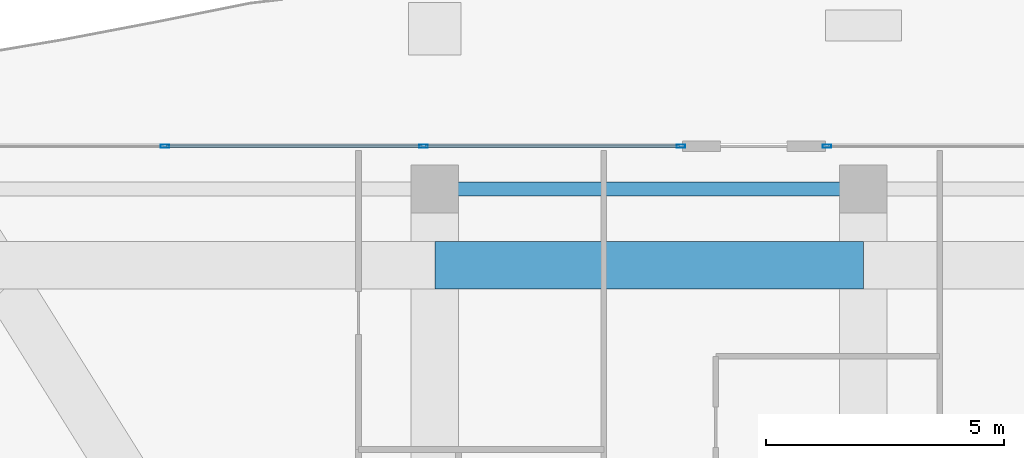
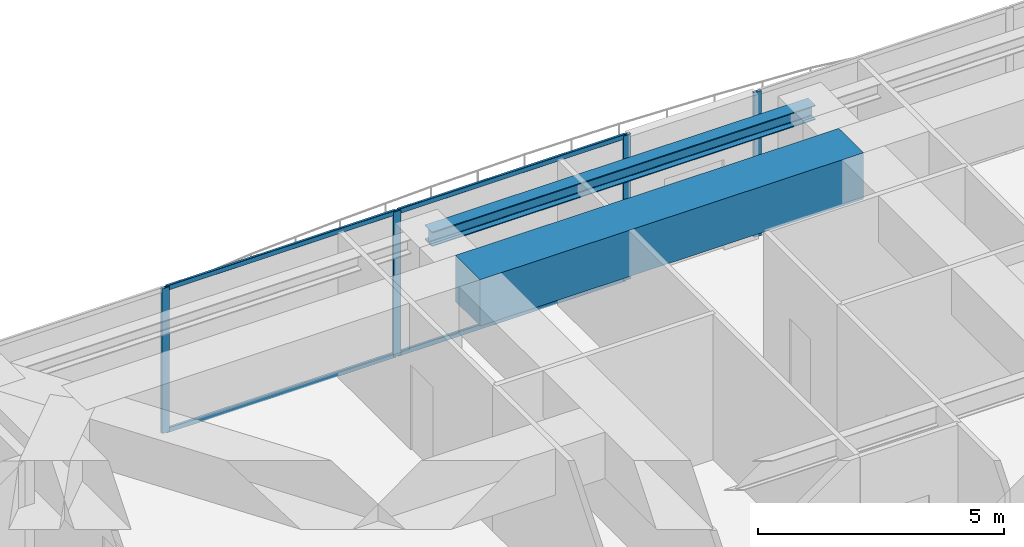
# One storey, part 24 of 40: 8 members, 2 beams, 2 elements without a shape of their own.
"""IFC4 building model written with IfcOpenShell, lengths in metres."""

import ifcopenshell
import ifcopenshell.guid

model = None  # the IFC model being written
_history = None  # IfcOwnerHistory: only IFC2X3 demands one
_inside = {}  # id of a spatial element -> (the spatial element, [elements in it])
_under = {}  # id of a project, library or spatial element -> (it, [spatial elements below it])
_declared = {}  # id of a project -> (the project, [libraries it declares])
_typed = {}  # id of a type object -> (the type object, [elements of that type])
_made_of = {}  # id of a material, layer set ... -> (it, [elements and type objects made of it])


def new_model(schema):
    """Start an empty IFC model of exactly this schema.

    Asked for "IFC4X3", IfcOpenShell would pick the latest addendum, in which some entities
    have other attributes; the version numbers below select the first issue.
    IFC2X3 requires an IfcOwnerHistory on every rooted entity: one is made here for all.
    """
    global model, _history
    if schema == "IFC4X3":
        model = ifcopenshell.file(schema_version=(4, 3, 0, 0))
    else:
        model = ifcopenshell.file(schema=schema)
    _inside.clear()
    _under.clear()
    _declared.clear()
    _typed.clear()
    _made_of.clear()
    _history = None
    if model.schema == "IFC2X3":
        org = make("IfcOrganization", Name="unknown")
        user = make(
            "IfcPersonAndOrganization",
            ThePerson=make("IfcPerson", FamilyName="unknown"),
            TheOrganization=org,
        )
        app = make(
            "IfcApplication",
            ApplicationDeveloper=org,
            Version="unknown",
            ApplicationFullName="unknown",
            ApplicationIdentifier="unknown",
        )
        _history = make(
            "IfcOwnerHistory",
            OwningUser=user,
            OwningApplication=app,
            ChangeAction="ADDED",
            CreationDate=0,
        )
    return model


def make(cls, **values):
    """One entity of the class cls with the attributes given. An attribute that is None is left unset."""
    return model.create_entity(
        cls, **{name: value for name, value in values.items() if value is not None}
    )


def rooted(cls, **values):
    """An entity with a GlobalId (a new one), such as an element, a storey or a relation."""
    return make(cls, GlobalId=ifcopenshell.guid.new(), OwnerHistory=_history, **values)


def si_unit(unit_type, name, prefix=None):
    """IfcSIUnit, for example si_unit("LENGTHUNIT", "METRE", prefix="MILLI")."""
    return make("IfcSIUnit", UnitType=unit_type, Prefix=prefix, Name=name)


def assignment(units):
    """IfcUnitAssignment: the units of a project."""
    return None if units is None else make("IfcUnitAssignment", Units=units)


def point(xyz):
    """IfcCartesianPoint."""
    return None if xyz is None else make("IfcCartesianPoint", Coordinates=xyz)


def direction(xyz):
    """IfcDirection."""
    return None if xyz is None else make("IfcDirection", DirectionRatios=xyz)


def frame(location, z_axis=None, x_axis=None):
    """IfcAxis2Placement3D, a coordinate frame: its origin and axes. An axis left out is left unset."""
    return make(
        "IfcAxis2Placement3D",
        Location=point(location),
        Axis=direction(z_axis),
        RefDirection=direction(x_axis),
    )


def frame_2d(location, x_axis=None):
    """IfcAxis2Placement2D, a coordinate frame in the plane: its origin and x axis."""
    return make(
        "IfcAxis2Placement2D", Location=point(location), RefDirection=direction(x_axis)
    )


def origin():
    """The frame at (0, 0, 0) with its axes left unset."""
    return frame((0.0, 0.0, 0.0))


def origin_2d():
    """The frame at (0, 0) in the plane with its x axis left unset."""
    return frame_2d((0.0, 0.0))


def place(relative_to, where):
    """IfcLocalPlacement: puts the frame where relative to a parent placement (None: the world)."""
    return make(
        "IfcLocalPlacement", PlacementRelTo=relative_to, RelativePlacement=where
    )


def context(
    kind, dimensions, precision=None, world=None, true_north=None, identifier=None
):
    """IfcGeometricRepresentationContext, for example the 3D "Model" context."""
    return make(
        "IfcGeometricRepresentationContext",
        ContextIdentifier=identifier,
        ContextType=kind,
        CoordinateSpaceDimension=dimensions,
        Precision=precision,
        WorldCoordinateSystem=world,
        TrueNorth=true_north,
    )


def subcontext(parent, identifier, kind, view, scale=None):
    """IfcGeometricRepresentationSubContext, for example "Body" below "Model"."""
    return make(
        "IfcGeometricRepresentationSubContext",
        ContextIdentifier=identifier,
        ContextType=kind,
        ParentContext=parent,
        TargetScale=scale,
        TargetView=view,
    )


def project(units=None, contexts=None):
    """IfcProject with its units and contexts."""
    return rooted(
        "IfcProject",
        Name="project",
        RepresentationContexts=contexts,
        UnitsInContext=assignment(units),
    )


def spatial(cls, under=None, at=None, **own):
    """A site, building, storey or space (cls), placed at a placement, below another one or the project."""
    s = rooted(cls, ObjectPlacement=at, **own)
    if under is not None:
        _under.setdefault(under.id(), (under, []))[1].append(s)
    return s


def profile(cls, at=None, kind="AREA", **sizes):
    """A parametric profile (cls). Its sizes go by their IFC names, for example OverallWidth=200.0."""
    return make(cls, ProfileType=kind, Position=at, **sizes)


def rectangle(**sizes):
    """IfcRectangleProfileDef."""
    return profile("IfcRectangleProfileDef", **sizes)


def hollow_rectangle(**sizes):
    """IfcRectangleHollowProfileDef."""
    return profile("IfcRectangleHollowProfileDef", **sizes)


def i_section(**sizes):
    """IfcIShapeProfileDef."""
    return profile("IfcIShapeProfileDef", **sizes)


def extrude(swept, where, along, depth):
    """IfcExtrudedAreaSolid: the profile swept, set in the frame where, extruded along a direction by depth."""
    return make(
        "IfcExtrudedAreaSolid",
        SweptArea=swept,
        Position=where,
        ExtrudedDirection=direction(along),
        Depth=depth,
    )


def shape(context_of_items, identifier, shape_type, items):
    """IfcShapeRepresentation: the items that make up one representation, for example the "Body"."""
    return make(
        "IfcShapeRepresentation",
        ContextOfItems=context_of_items,
        RepresentationIdentifier=identifier,
        RepresentationType=shape_type,
        Items=items,
    )


def source(mapping_origin, context_of_items, identifier, shape_type, items):
    """IfcRepresentationMap: a shape defined once, which mapped items show again and again."""
    return make(
        "IfcRepresentationMap",
        MappingOrigin=mapping_origin,
        MappedRepresentation=shape(context_of_items, identifier, shape_type, items),
    )


def transform(
    local_origin,
    x_axis=None,
    y_axis=None,
    z_axis=None,
    scale=None,
    scale2=None,
    scale3=None,
    uniform=True,
):
    """IfcCartesianTransformationOperator3D, or its non-uniform kind. x_axis, y_axis, z_axis: its Axis1, 2, 3."""
    if uniform:
        return make(
            "IfcCartesianTransformationOperator3D",
            Axis1=direction(x_axis),
            Axis2=direction(y_axis),
            LocalOrigin=point(local_origin),
            Scale=scale,
            Axis3=direction(z_axis),
        )
    return make(
        "IfcCartesianTransformationOperator3DnonUniform",
        Axis1=direction(x_axis),
        Axis2=direction(y_axis),
        LocalOrigin=point(local_origin),
        Scale=scale,
        Axis3=direction(z_axis),
        Scale2=scale2,
        Scale3=scale3,
    )


def mapped(mapping_source, mapping_target):
    """IfcMappedItem: shows the shape of a source again, moved by a transform."""
    return make(
        "IfcMappedItem", MappingSource=mapping_source, MappingTarget=mapping_target
    )


def material(Name=None, Category=None):
    """IfcMaterial."""
    return make("IfcMaterial", Name=Name, Category=Category)


def layer(
    of_material, thickness, ventilated=None, Name=None, Category=None, Priority=None
):
    """IfcMaterialLayer: one layer of a wall or slab, of a material (None: an air gap)."""
    return make(
        "IfcMaterialLayer",
        Material=of_material,
        LayerThickness=thickness,
        IsVentilated=ventilated,
        Name=Name,
        Category=Category,
        Priority=Priority,
    )


def layer_set(layers, Name=None):
    """IfcMaterialLayerSet."""
    return make("IfcMaterialLayerSet", MaterialLayers=layers, LayerSetName=Name)


def material_profile(
    of_material, cross_section, Name=None, Category=None, Priority=None
):
    """IfcMaterialProfile: a cross section and its material."""
    return make(
        "IfcMaterialProfile",
        Name=Name,
        Material=of_material,
        Profile=cross_section,
        Priority=Priority,
        Category=Category,
    )


def profile_set(profiles, Name=None, composite=None):
    """IfcMaterialProfileSet."""
    return make(
        "IfcMaterialProfileSet",
        Name=Name,
        MaterialProfiles=profiles,
        CompositeProfile=composite,
    )


def made_of(thing, what):
    """Note that an element or type object is made of a material, layer set ...; save() writes the relation."""
    if what is not None:
        _made_of.setdefault(what.id(), (what, []))[1].append(thing)
    return thing


def type_object(cls, material=None, **own):
    """A type object (cls), such as IfcWallType, which elements share."""
    return made_of(rooted(cls, **own), material)


def element(
    cls,
    number,
    at=None,
    inside=None,
    cuts=None,
    type_object=None,
    material=None,
    context=None,
    identifier="Body",
    shape_type=None,
    held_by="IfcProductDefinitionShape",
    body=None,
    shapes=None,
    **own,
):
    """One element of the class cls, such as IfcWall. Its Tag is "e" and its number.

    at: its placement. inside: the storey or other place that contains it. cuts: it is an
    opening in that element (IfcRelVoidsElement). A single representation is given by context,
    identifier, shape_type and body (its items); several are given by shapes. held_by: the class
    of the entity that holds the representations. save() writes the other relations.
    """
    e = rooted(cls, Tag="e%d" % number, ObjectPlacement=at, **own)
    if body is not None:
        shapes = [shape(context, identifier, shape_type, body)]
    if shapes is not None:
        e.Representation = make(held_by, Representations=shapes)
    if inside is not None:
        _inside.setdefault(inside.id(), (inside, []))[1].append(e)
    if cuts is not None:
        rooted(
            "IfcRelVoidsElement", RelatingBuildingElement=cuts, RelatedOpeningElement=e
        )
    if type_object is not None:
        _typed.setdefault(type_object.id(), (type_object, []))[1].append(e)
    return made_of(e, material)


def aggregate(whole, parts):
    """IfcRelAggregates: a whole, such as a stair, and the parts it consists of."""
    return rooted("IfcRelAggregates", RelatingObject=whole, RelatedObjects=parts)


def save(model, path):
    """Write the relations noted so far, then the file.

    IfcRelAggregates (storeys below a building ...), IfcRelContainedInSpatialStructure (elements
    in a storey), IfcRelDefinesByType, IfcRelAssociatesMaterial and IfcRelDeclares: one each for
    every whole, place, type object, material and project.
    """
    for whole, parts in _under.values():
        aggregate(whole, parts)
    for where, things in _inside.values():
        rooted(
            "IfcRelContainedInSpatialStructure",
            RelatedElements=things,
            RelatingStructure=where,
        )
    for kind, things in _typed.values():
        rooted("IfcRelDefinesByType", RelatedObjects=things, RelatingType=kind)
    for what, things in _made_of.values():
        rooted("IfcRelAssociatesMaterial", RelatedObjects=things, RelatingMaterial=what)
    for by, libraries in _declared.values():
        rooted("IfcRelDeclares", RelatingContext=by, RelatedDefinitions=libraries)
    model.write(path)


model = new_model("IFC4")

# Units and contexts
model_context = context("Model", 3, precision=1e-05, world=origin(), true_north=direction((0.0, 1.0)))
body_context = subcontext(model_context, "Body", "Model", "MODEL_VIEW")
ifc_project = project(units=[si_unit("LENGTHUNIT", "METRE"), si_unit("AREAUNIT", "SQUARE_METRE"), si_unit("VOLUMEUNIT", "CUBIC_METRE"), si_unit("PLANEANGLEUNIT", "RADIAN"), si_unit("MASSUNIT", "GRAM", prefix="KILO")], contexts=[model_context])

# Site, building, storey
site_placement = place(None, origin())
site = spatial("IfcSite", under=ifc_project, at=site_placement, CompositionType="ELEMENT")
building_placement = place(site_placement, origin())
building = spatial("IfcBuilding", under=site, at=building_placement, Name="Serunith Strait Residences", CompositionType="ELEMENT")
storey_placement = place(building_placement, frame((0.0, 0.0, 333.949951171875)))
storey = spatial("IfcBuildingStorey", under=building, at=storey_placement, Name="L83", CompositionType="ELEMENT", Elevation=333.949951171875)

# Beams
ifc_material_1 = material(Name="Concrete C80/95", Category="concrete")
ifc_material_profile_1 = material_profile(ifc_material_1, rectangle(XDim=1.0, YDim=1.14990234375, at=origin_2d()), Name="RC 1000x1150")
ifc_profile_set_1 = profile_set([ifc_material_profile_1], Name="Concrete C80/95")
beam_type_1 = type_object("IfcBeamType", Name="BM-XFER-1000x1150", PredefinedType="BEAM", material=ifc_profile_set_1)
shared_shape_1 = source(origin(), body_context, "Body", "SweptSolid", [
    extrude(rectangle(XDim=1.0, YDim=1.14990234375, at=origin_2d()), origin(), (0.0, 0.0, 1.0), 9.0),
])
beam_1_placement = place(storey_placement, frame((36.89990234375, 45.5, 3.03515625), z_axis=(-1.0, 0.0, 0.0), x_axis=(0.0, -1.0, 0.0)))
element("IfcBeam", 1, at=beam_1_placement, inside=storey, type_object=beam_type_1, Name="L83 Flare Upper Ring Transfer Girder 10", PredefinedType="BEAM", context=body_context, shape_type="MappedRepresentation", body=[
    mapped(shared_shape_1, transform((0.0, 0.0, 0.0), scale=1.0)),
])
ifc_material_2 = material(Name="Steel S355J2", Category="steel")
ifc_material_profile_2 = material_profile(ifc_material_2, i_section(OverallWidth=0.300048828125, OverallDepth=0.360107421875, WebThickness=0.012451171875, FlangeThickness=0.0224609375, FilletRadius=0.027099609375, at=origin_2d()), Name="HEB 360")
ifc_profile_set_2 = profile_set([ifc_material_profile_2], Name="Steel S355J2")
beam_type_2 = type_object("IfcBeamType", Name="BM-HEB360", PredefinedType="BEAM", material=ifc_profile_set_2)
shared_shape_2 = source(origin(), body_context, "Body", "SweptSolid", [
    extrude(i_section(OverallWidth=0.300048828125, OverallDepth=0.360107421875, WebThickness=0.012451171875, FlangeThickness=0.0224609375, FilletRadius=0.027099609375, at=origin_2d()), origin(), (0.0, 0.0, 1.0), 9.0),
])
beam_2_placement = place(storey_placement, frame((36.89990234375, 47.10009765625, 3.427001953125), z_axis=(-1.0, 0.0, 0.0), x_axis=(0.0, -1.0, 0.0)))
element("IfcBeam", 2, at=beam_2_placement, inside=storey, type_object=beam_type_2, Name="L83 Perimeter Ring Beam 10", PredefinedType="BEAM", context=body_context, shape_type="MappedRepresentation", body=[
    mapped(shared_shape_2, transform((0.0, 0.0, 0.0), scale=1.0)),
])

# Curtain wall, members
ifc_material_3 = material(Name="Brushed Stainless-Silver Aluminium", Category="aluminium")
ifc_layer = layer(ifc_material_3, 0.199951171875, Name="Brushed Stainless-Silver Aluminium")
ifc_layer_set = layer_set([ifc_layer], Name="Brushed Stainless-Silver Aluminium")
curtain_wall_type = type_object("IfcCurtainWallType", Name="CW-SYS5", PredefinedType="NOTDEFINED", material=ifc_layer_set)
curtain_wall_1_placement = place(storey_placement, origin())
curtain_wall_1 = element("IfcCurtainWall", 3, at=curtain_wall_1_placement, inside=storey, type_object=curtain_wall_type, Name="L83 N Unitised Fritted Curtain Wall", PredefinedType="NOTDEFINED")
ifc_material_profile_3 = material_profile(ifc_material_3, hollow_rectangle(XDim=0.06005859375, YDim=0.1201171875, WallThickness=0.00341796875, InnerFilletRadius=0.00537109375, OuterFilletRadius=0.0087890625, at=origin_2d()), Name="ALU 120x60x3.5")
ifc_profile_set_3 = profile_set([ifc_material_profile_3], Name="Brushed Stainless-Silver Aluminium")
member_type_1 = type_object("IfcMemberType", Name="CW-SYS5-TRAN", PredefinedType="USERDEFINED", material=ifc_profile_set_3)
shared_shape_3 = source(origin(), body_context, "Body", "SweptSolid", [
    extrude(hollow_rectangle(XDim=0.06005859375, YDim=0.1201171875, WallThickness=0.00341796875, InnerFilletRadius=0.00537109375, OuterFilletRadius=0.0087890625, at=origin_2d()), origin(), (0.0, 0.0, 1.0), 5.368408203125),
])
member_1_placement = place(storey_placement, frame((27.63427734375, 48.0, 0.030029296875), z_axis=(-1.0, 0.0, 0.0), x_axis=(0.0, -1.0, 0.0)))
member_1 = element("IfcMember", 4, at=member_1_placement, type_object=member_type_1, Name="CW-5 transom 2.1", ObjectType="TRANSOM", PredefinedType="USERDEFINED", context=body_context, shape_type="MappedRepresentation", body=[
    mapped(shared_shape_3, transform((0.0, 0.0, 0.0), scale=1.0)),
])
member_2_placement = place(storey_placement, frame((27.63427734375, 48.0, 3.56494140625), z_axis=(-1.0, 0.0, 0.0), x_axis=(0.0, -1.0, 0.0)))
member_2 = element("IfcMember", 5, at=member_2_placement, type_object=member_type_1, Name="CW-5 transom 2.2", ObjectType="TRANSOM", PredefinedType="USERDEFINED", context=body_context, shape_type="MappedRepresentation", body=[
    mapped(shared_shape_3, transform((0.0, 0.0, 0.0), scale=1.0)),
])
shared_shape_4 = source(origin(), body_context, "Body", "SweptSolid", [
    extrude(hollow_rectangle(XDim=0.06005859375, YDim=0.1201171875, WallThickness=0.00341796875, InnerFilletRadius=0.00537109375, OuterFilletRadius=0.0087890625, at=origin_2d()), origin(), (0.0, 0.0, 1.0), 5.335693359375),
])
member_3_placement = place(storey_placement, frame((33.034912109375, 48.0, 0.030029296875), z_axis=(-1.0, 0.0, 0.0), x_axis=(0.0, -1.0, 0.0)))
member_3 = element("IfcMember", 6, at=member_3_placement, type_object=member_type_1, Name="CW-5 transom 1.1", ObjectType="TRANSOM", PredefinedType="USERDEFINED", context=body_context, shape_type="MappedRepresentation", body=[
    mapped(shared_shape_4, transform((0.0, 0.0, 0.0), scale=1.0)),
])
member_4_placement = place(storey_placement, frame((33.034912109375, 48.0, 3.56494140625), z_axis=(-1.0, 0.0, 0.0), x_axis=(0.0, -1.0, 0.0)))
member_4 = element("IfcMember", 7, at=member_4_placement, type_object=member_type_1, Name="CW-5 transom 1.2", ObjectType="TRANSOM", PredefinedType="USERDEFINED", context=body_context, shape_type="MappedRepresentation", body=[
    mapped(shared_shape_4, transform((0.0, 0.0, 0.0), scale=1.0)),
])

# Curtain wall, member
curtain_wall_2_placement = place(storey_placement, origin())
curtain_wall_2 = element("IfcCurtainWall", 8, at=curtain_wall_2_placement, inside=storey, type_object=curtain_wall_type, Name="L83 N Unitised Fritted Curtain Wall", PredefinedType="NOTDEFINED")
ifc_material_profile_4 = material_profile(ifc_material_3, hollow_rectangle(XDim=0.06494140625, YDim=0.179931640625, WallThickness=0.00341796875, InnerFilletRadius=0.00537109375, OuterFilletRadius=0.0087890625, at=origin_2d()), Name="ALU 180x65x3.5")
ifc_profile_set_4 = profile_set([ifc_material_profile_4], Name="Brushed Stainless-Silver Aluminium")
member_type_2 = type_object("IfcMemberType", Name="CW-SYS5-MULL", PredefinedType="MULLION", material=ifc_profile_set_4)
shared_shape_5 = source(origin(), body_context, "Body", "SweptSolid", [
    extrude(hollow_rectangle(XDim=0.06494140625, YDim=0.179931640625, WallThickness=0.00341796875, InnerFilletRadius=0.00537109375, OuterFilletRadius=0.0087890625, at=origin_2d()), origin(), (0.0, 0.0, 1.0), 3.594970703125),
])
member_5_placement = place(storey_placement, frame((36.132568359375, 48.0, 0.0), z_axis=(0.0, 0.0, 1.0), x_axis=(0.0, -1.0, 0.0)))
member_5 = element("IfcMember", 9, at=member_5_placement, type_object=member_type_2, Name="CW-5 mullion 3", PredefinedType="MULLION", context=body_context, shape_type="MappedRepresentation", body=[
    mapped(shared_shape_5, transform((0.0, 0.0, 0.0), scale=1.0)),
])
aggregate(curtain_wall_2, [member_5])

# Member
member_6_placement = place(storey_placement, frame((33.0673828125, 48.0, 0.0), z_axis=(0.0, 0.0, 1.0), x_axis=(0.0, -1.0, 0.0)))
member_6 = element("IfcMember", 10, at=member_6_placement, type_object=member_type_2, Name="CW-5 mullion 1", PredefinedType="MULLION", context=body_context, shape_type="MappedRepresentation", body=[
    mapped(shared_shape_5, transform((0.0, 0.0, 0.0), scale=1.0)),
])

member_7_placement = place(storey_placement, frame((27.666748046875, 48.0, 0.0), z_axis=(0.0, 0.0, 1.0), x_axis=(0.0, -1.0, 0.0)))
member_7 = element("IfcMember", 11, at=member_7_placement, type_object=member_type_2, Name="CW-5 mullion 2", PredefinedType="MULLION", context=body_context, shape_type="MappedRepresentation", body=[
    mapped(shared_shape_5, transform((0.0, 0.0, 0.0), scale=1.0)),
])

member_8_placement = place(storey_placement, frame((22.2333984375, 48.0, 0.0), z_axis=(0.0, 0.0, 1.0), x_axis=(0.0, -1.0, 0.0)))
member_8 = element("IfcMember", 12, at=member_8_placement, type_object=member_type_2, Name="CW-5 mullion 3", PredefinedType="MULLION", context=body_context, shape_type="MappedRepresentation", body=[
    mapped(shared_shape_5, transform((0.0, 0.0, 0.0), scale=1.0)),
])

aggregate(curtain_wall_1, [member_6, member_7, member_8, member_3, member_4, member_1, member_2])

save(model, "model.ifc")
